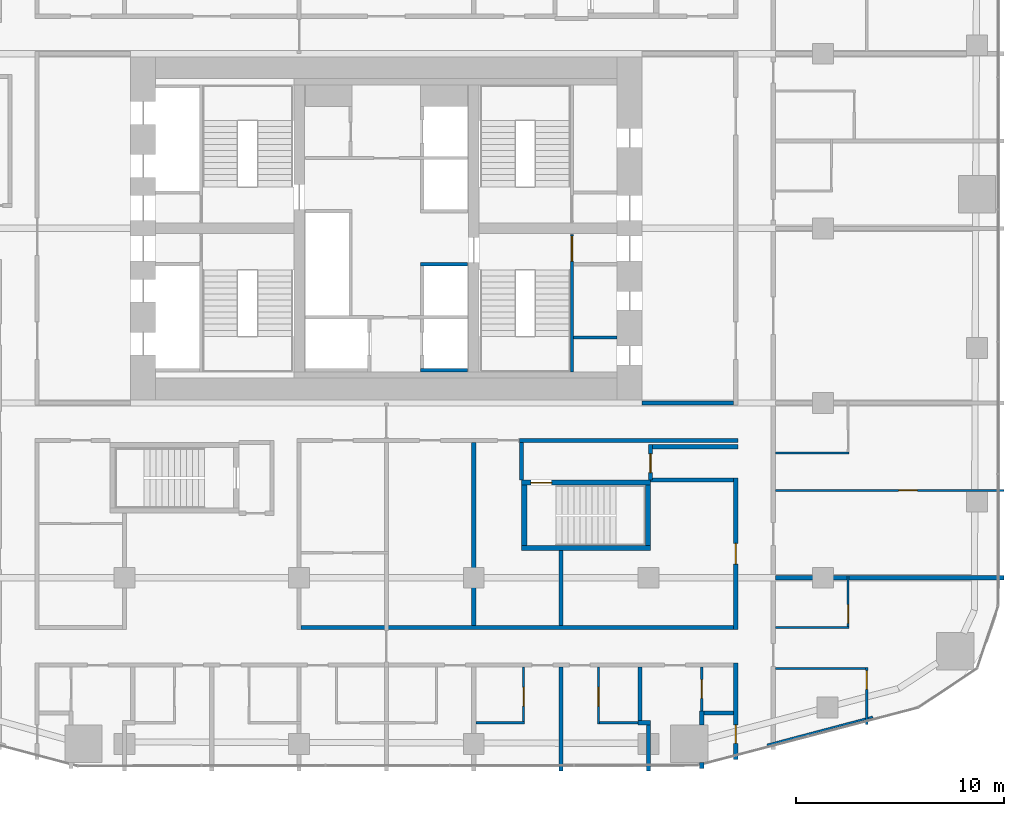
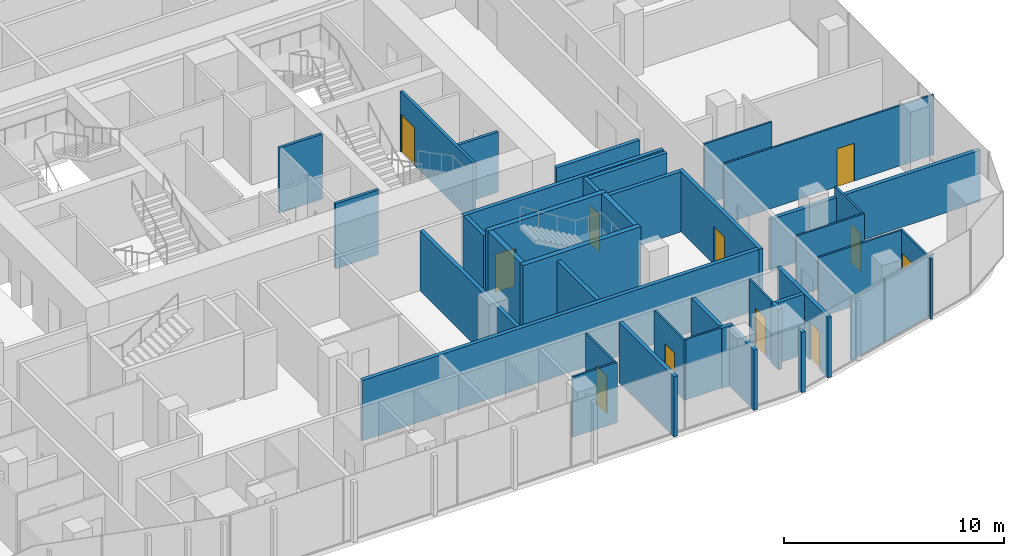
# One storey, part 19 of 26: 39 walls, 11 doors, 11 openings.
"""IFC4 building model written with IfcOpenShell, lengths in metres."""

from ifc_helpers import new_model, si_unit, direction, frame, frame_2d, origin, place, context, subcontext, project, spatial, rectangle, extrude, material, layer, layer_set, type_object, element, fill, save


model = new_model("IFC4")

# Units and contexts
model_context = context("Model", 3, precision=1e-05, world=origin(), true_north=direction((0.0, 1.0)))
body_context = subcontext(model_context, "Body", "Model", "MODEL_VIEW")
ifc_project = project(units=[si_unit("LENGTHUNIT", "METRE"), si_unit("AREAUNIT", "SQUARE_METRE"), si_unit("VOLUMEUNIT", "CUBIC_METRE"), si_unit("PLANEANGLEUNIT", "RADIAN"), si_unit("MASSUNIT", "GRAM", prefix="KILO")], contexts=[model_context])

# Site, building, storey
site_placement = place(None, origin())
site = spatial("IfcSite", under=ifc_project, at=site_placement, CompositionType="ELEMENT")
building_placement = place(site_placement, origin())
building = spatial("IfcBuilding", under=site, at=building_placement, Name="Marenta Gate Hotel Tower", CompositionType="ELEMENT")
storey_placement = place(building_placement, frame((0.0, 0.0, 43.699951171875)))
storey = spatial("IfcBuildingStorey", under=building, at=storey_placement, Name="L08", CompositionType="ELEMENT", Elevation=43.699951171875)

# Walls
ifc_material_1 = material(Name="Concrete blockwork", Category="masonry")
ifc_layer_1 = layer(ifc_material_1, 0.199951171875)
ifc_layer_set_1 = layer_set([ifc_layer_1], Name="Concrete blockwork")
wall_type_1 = type_object("IfcWallType", Name="Core boundary wall 200 REI 180", PredefinedType="PARTITIONING", material=ifc_layer_set_1)
wall_1_placement = place(storey_placement, frame((12.300048828125, 0.0, 0.0), z_axis=(0.0, 0.0, 1.0), x_axis=(1.0, 0.0, 0.0)))
element("IfcWall", 1, at=wall_1_placement, inside=storey, type_object=wall_type_1, Name="L08-CP-EW-ES", PredefinedType="PARTITIONING", context=body_context, shape_type="SweptSolid", body=[
    extrude(rectangle(XDim=4.39990234375, YDim=0.199951171875, at=frame_2d((2.199951171875, 0.0))), origin(), (0.0, 0.0, 1.0), 2.840087890625),
])
ifc_material_2 = material(Name="Concrete blockwork", Category="masonry")
ifc_layer_2 = layer(ifc_material_2, 0.14990234375)
ifc_layer_set_2 = layer_set([ifc_layer_2], Name="Concrete blockwork")
wall_type_2 = type_object("IfcWallType", Name="Core room partition 150 REI 180", PredefinedType="PARTITIONING", material=ifc_layer_set_2)
wall_2_placement = place(storey_placement, frame((9.0, 3.14990234375, 0.0), z_axis=(0.0, 0.0, 1.0), x_axis=(1.0, 0.0, 0.0)))
element("IfcWall", 2, at=wall_2_placement, inside=storey, type_object=wall_type_2, Name="L08-CP-RW-ES-1", PredefinedType="PARTITIONING", context=body_context, shape_type="SweptSolid", body=[
    extrude(rectangle(XDim=2.10009765625, YDim=0.14990234375, at=frame_2d((1.050048828125, 0.0))), origin(), (0.0, 0.0, 1.0), 3.340087890625),
])
ifc_material_3 = material(Name="Concrete C40", Category="concrete")
ifc_layer_3 = layer(ifc_material_3, 0.14990234375)
ifc_layer_set_3 = layer_set([ifc_layer_3], Name="Concrete C40")
wall_type_3 = type_object("IfcWallType", Name="Core shaft wall 150 REI 180", PredefinedType="SHEAR", material=ifc_layer_set_3)
for number, where, z_axis, x_axis, name in (
    (3, (1.64990234375, 1.574951171875, 0.0), (0.0, 0.0, 1.0), (1.0, 0.0, 0.0), "L08-SHF-CE-S-bot"),
    (4, (1.64990234375, 6.675048828125, 0.0), (0.0, 0.0, 1.0), (1.0, 0.0, 0.0), "L08-SHF-CE-sep1"),
):
    element("IfcWall", number, at=place(storey_placement, frame(where, z_axis=z_axis, x_axis=x_axis)), inside=storey, type_object=wall_type_3, Name=name, PredefinedType="SHEAR", context=body_context, shape_type="SweptSolid", body=[
        extrude(rectangle(XDim=2.25, YDim=0.14990234375, at=frame_2d((1.125, 0.0))), origin(), (0.0, 0.0, 1.0), 3.60009765625),
    ])

# Wall, opening, door
ifc_material_4 = material(Name="Concrete C40", Category="concrete")
ifc_layer_4 = layer(ifc_material_4, 0.14990234375)
ifc_layer_set_4 = layer_set([ifc_layer_4], Name="Concrete C40")
wall_type_4 = type_object("IfcWallType", Name="Core stair enclosure wall 150 REI 180", PredefinedType="SHEAR", material=ifc_layer_set_4)
wall_3_placement = place(storey_placement, frame((8.925048828125, 1.5, 0.0), z_axis=(0.0, 0.0, 1.0), x_axis=(0.0, 1.0, 0.0)))
wall_3 = element("IfcWall", 5, at=wall_3_placement, inside=storey, type_object=wall_type_4, Name="L08-SHF-SW-ES-3", PredefinedType="SHEAR", context=body_context, shape_type="SweptSolid", body=[
    extrude(rectangle(XDim=6.60009765625, YDim=0.14990234375, at=frame_2d((3.300048828125, 0.0))), origin(), (0.0, 0.0, 1.0), 3.340087890625),
])
opening_1_placement = place(wall_3_placement, frame((5.324951171875, 0.0, 0.0)))
opening_1 = element("IfcOpeningElement", 6, at=opening_1_placement, cuts=wall_3, Name="Opening SD-ES", PredefinedType="OPENING", context=body_context, shape_type="SweptSolid", body=[
    extrude(rectangle(XDim=1.199951171875, YDim=2.10009765625, at=frame_2d((0.60009765625, 1.050048828125))), frame((0.0, 0.074951171875, 0.0), z_axis=(0.0, -1.0, 0.0), x_axis=(1.0, 0.0, 0.0)), (0.0, 0.0, 1.0), 0.14990234375),
])
ifc_material_5 = material(Name="Steel", Category="steel")
door_type_1 = type_object("IfcDoorType", Name="Core stair door 1200x2100 FD60", OperationType="SINGLE_SWING_LEFT", PredefinedType="DOOR", material=ifc_material_5)
door_1_placement = place(opening_1_placement, origin())
door_1 = element("IfcDoor", 7, at=door_1_placement, inside=storey, type_object=door_type_1, Name="SD-ES", OperationType="SINGLE_SWING_LEFT", OverallHeight=2.10009765625, OverallWidth=1.199951171875, PredefinedType="DOOR", context=body_context, shape_type="SweptSolid", body=[
    extrude(rectangle(XDim=1.199951171875, YDim=2.10009765625, at=frame_2d((0.60009765625, 1.050048828125))), frame((0.0, 0.02490234375, 0.0), z_axis=(0.0, -1.0, 0.0), x_axis=(1.0, 0.0, 0.0)), (0.0, 0.0, 1.0), 0.050048828125),
])
fill(opening_1, door_1)

# Wall
ifc_material_6 = material(Name="Concrete C40", Category="concrete")
ifc_layer_5 = layer(ifc_material_6, 0.25)
ifc_layer_set_5 = layer_set([ifc_layer_5], Name="Concrete C40")
wall_type_5 = type_object("IfcWallType", Name="Remote stair enclosure wall 250 REI 180", PredefinedType="SHEAR", material=ifc_layer_set_5)
wall_4_placement = place(storey_placement, frame((6.5, -6.97509765625, 0.10009765625), z_axis=(0.0, 0.0, 1.0), x_axis=(1.0, 0.0, 0.0)))
element("IfcWall", 8, at=wall_4_placement, inside=storey, type_object=wall_type_5, Name="L08-RS-Z1-1-W1", PredefinedType="SHEAR", context=body_context, shape_type="SweptSolid", body=[
    extrude(rectangle(XDim=6.199951171875, YDim=0.25, at=frame_2d((3.10009765625, 0.0))), origin(), (0.0, 0.0, 1.0), 3.599853515625),
])

# Wall, opening, door
wall_5_placement = place(storey_placement, frame((6.5, -3.824951171875, 0.10009765625), z_axis=(0.0, 0.0, 1.0), x_axis=(1.0, 0.0, 0.0)))
wall_5 = element("IfcWall", 9, at=wall_5_placement, inside=storey, type_object=wall_type_5, Name="L08-RS-Z1-1-W2", PredefinedType="SHEAR", context=body_context, shape_type="SweptSolid", body=[
    extrude(rectangle(XDim=6.199951171875, YDim=0.25, at=frame_2d((3.10009765625, 0.0))), origin(), (0.0, 0.0, 1.0), 3.599853515625),
])
opening_2_placement = place(wall_5_placement, frame((0.449951171875, 0.0, 0.0)))
opening_2 = element("IfcOpeningElement", 10, at=opening_2_placement, cuts=wall_5, Name="Opening VD", PredefinedType="OPENING", context=body_context, shape_type="SweptSolid", body=[
    extrude(rectangle(XDim=1.0, YDim=2.10009765625, at=frame_2d((0.5, 1.050048828125))), frame((0.0, 0.125, 0.0), z_axis=(0.0, -1.0, 0.0), x_axis=(1.0, 0.0, 0.0)), (0.0, 0.0, 1.0), 0.25),
])
ifc_material_7 = material(Name="Steel", Category="steel")
door_type_2 = type_object("IfcDoorType", Name="Stair vestibule door 1000x2100 FD60", OperationType="SINGLE_SWING_LEFT", PredefinedType="DOOR", material=ifc_material_7)
door_2_placement = place(opening_2_placement, origin())
door_2 = element("IfcDoor", 11, at=door_2_placement, inside=storey, type_object=door_type_2, Name="VD", OperationType="SINGLE_SWING_LEFT", OverallHeight=2.10009765625, OverallWidth=1.0, PredefinedType="DOOR", context=body_context, shape_type="SweptSolid", body=[
    extrude(rectangle(XDim=1.0, YDim=2.10009765625, at=frame_2d((0.5, 1.050048828125))), frame((0.0, 0.02490234375, 0.0), z_axis=(0.0, -1.0, 0.0), x_axis=(1.0, 0.0, 0.0)), (0.0, 0.0, 1.0), 0.050048828125),
])
fill(opening_2, door_2)

# Walls
for number, where, z_axis, x_axis, name in (
    (12, (6.625, -6.85009765625, 0.10009765625), (0.0, 0.0, 1.0), (0.0, 1.0, 0.0), "L08-RS-Z1-1-W3"),
    (13, (12.574951171875, -6.85009765625, 0.10009765625), (0.0, 0.0, 1.0), (0.0, 1.0, 0.0), "L08-RS-Z1-1-W4"),
):
    element("IfcWall", number, at=place(storey_placement, frame(where, z_axis=z_axis, x_axis=x_axis)), inside=storey, type_object=wall_type_5, Name=name, PredefinedType="SHEAR", context=body_context, shape_type="SweptSolid", body=[
        extrude(rectangle(XDim=2.900146484375, YDim=0.25, at=frame_2d((1.4501953125, 0.0))), origin(), (0.0, 0.0, 1.0), 3.599853515625),
    ])

# Wall, opening, door
ifc_material_8 = material(Name="Concrete blockwork", Category="masonry")
ifc_layer_6 = layer(ifc_material_8, 0.199951171875)
ifc_layer_set_6 = layer_set([ifc_layer_6], Name="Concrete blockwork")
wall_type_6 = type_object("IfcWallType", Name="Room corridor wall 200 EI 120", PredefinedType="PARTITIONING", material=ifc_layer_set_6)
wall_6_placement = place(storey_placement, frame((16.800048828125, -17.14306640625, 0.0), z_axis=(0.0, 0.0, 1.0), x_axis=(0.0, 1.0, 0.0)))
wall_6 = element("IfcWall", 14, at=wall_6_placement, inside=storey, type_object=wall_type_6, Name="L08-PTN-W013", PredefinedType="PARTITIONING", context=body_context, shape_type="SweptSolid", body=[
    extrude(rectangle(XDim=4.64306640625, YDim=0.199951171875, at=frame_2d((2.321533203125, 0.0))), origin(), (0.0, 0.0, 1.0), 3.340087890625),
])
opening_3_placement = place(wall_6_placement, frame((0.77197265625, 0.0, 0.0)))
opening_3 = element("IfcOpeningElement", 15, at=opening_3_placement, cuts=wall_6, Name="Opening G02-81", PredefinedType="OPENING", context=body_context, shape_type="SweptSolid", body=[
    extrude(rectangle(XDim=0.89990234375, YDim=2.10009765625, at=frame_2d((0.449951171875, 1.050048828125))), frame((0.0, 0.10009765625, 0.0), z_axis=(0.0, -1.0, 0.0), x_axis=(1.0, 0.0, 0.0)), (0.0, 0.0, 1.0), 0.199951171875),
])
ifc_material_9 = material(Name="Hollow steel door set", Category="steel")
door_type_3 = type_object("IfcDoorType", Name="Room service door 900x2100 EI 60", OperationType="NOTDEFINED", PredefinedType="DOOR", material=ifc_material_9)
door_3_placement = place(opening_3_placement, origin())
door_3 = element("IfcDoor", 16, at=door_3_placement, inside=storey, type_object=door_type_3, Name="L08-PD-D081", OperationType="SINGLE_SWING_RIGHT", OverallHeight=2.10009765625, OverallWidth=0.89990234375, PredefinedType="DOOR", context=body_context, shape_type="SweptSolid", body=[
    extrude(rectangle(XDim=0.89990234375, YDim=2.10009765625, at=frame_2d((0.449951171875, 1.050048828125))), frame((0.0, 0.02490234375, 0.0), z_axis=(0.0, -1.0, 0.0), x_axis=(1.0, 0.0, 0.0)), (0.0, 0.0, 1.0), 0.050048828125),
])
fill(opening_3, door_3)

# Wall
wall_7_placement = place(storey_placement, frame((-4.10009765625, -10.800048828125, 0.0), z_axis=(0.0, 0.0, 1.0), x_axis=(1.0, 0.0, 0.0)))
element("IfcWall", 17, at=wall_7_placement, inside=storey, type_object=wall_type_6, Name="L08-PTN-W039", PredefinedType="PARTITIONING", context=body_context, shape_type="SweptSolid", body=[
    extrude(rectangle(XDim=20.800048828125, YDim=0.199951171875, at=frame_2d((10.39990234375, 0.0))), origin(), (0.0, 0.0, 1.0), 3.340087890625),
])

# Wall, opening, door
ifc_material_10 = material(Name="Gypsum board on steel stud", Category="steel")
ifc_layer_7 = layer(ifc_material_10, 0.199951171875)
ifc_layer_set_7 = layer_set([ifc_layer_7], Name="Gypsum board on steel stud")
wall_type_7 = type_object("IfcWallType", Name="Room corridor wall 200 EI 60", PredefinedType="PARTITIONING", material=ifc_layer_set_7)
wall_8_placement = place(storey_placement, frame((16.800048828125, -10.89990234375, 0.0), z_axis=(0.0, 0.0, 1.0), x_axis=(0.0, 1.0, 0.0)))
wall_8 = element("IfcWall", 18, at=wall_8_placement, inside=storey, type_object=wall_type_7, Name="L08-PTN-W014", PredefinedType="PARTITIONING", context=body_context, shape_type="SweptSolid", body=[
    extrude(rectangle(XDim=7.2998046875, YDim=0.199951171875, at=frame_2d((3.64990234375, 0.0))), origin(), (0.0, 0.0, 1.0), 3.340087890625),
])
opening_4_placement = place(wall_8_placement, frame((3.14990234375, 0.0, 0.0)))
opening_4 = element("IfcOpeningElement", 19, at=opening_4_placement, cuts=wall_8, Name="Opening G02-72", PredefinedType="OPENING", context=body_context, shape_type="SweptSolid", body=[
    extrude(rectangle(XDim=1.0, YDim=2.10009765625, at=frame_2d((0.5, 1.050048828125))), frame((0.0, 0.10009765625, 0.0), z_axis=(0.0, -1.0, 0.0), x_axis=(1.0, 0.0, 0.0)), (0.0, 0.0, 1.0), 0.199951171875),
])
ifc_material_11 = material(Name="Timber door leaf", Category="wood")
door_type_4 = type_object("IfcDoorType", Name="Room amenity door 1000x2100 EI 30", OperationType="NOTDEFINED", PredefinedType="DOOR", material=ifc_material_11)
door_4_placement = place(opening_4_placement, origin())
door_4 = element("IfcDoor", 20, at=door_4_placement, inside=storey, type_object=door_type_4, Name="L08-PD-D072", OperationType="SINGLE_SWING_RIGHT", OverallHeight=2.10009765625, OverallWidth=1.0, PredefinedType="DOOR", context=body_context, shape_type="SweptSolid", body=[
    extrude(rectangle(XDim=1.0, YDim=2.10009765625, at=frame_2d((0.5, 1.050048828125))), frame((0.0, 0.02490234375, 0.0), z_axis=(0.0, -1.0, 0.0), x_axis=(1.0, 0.0, 0.0)), (0.0, 0.0, 1.0), 0.050048828125),
])
fill(opening_4, door_4)

# Wall
wall_9_placement = place(storey_placement, frame((12.699951171875, -3.699951171875, 0.0), z_axis=(0.0, 0.0, 1.0), x_axis=(1.0, 0.0, 0.0)))
element("IfcWall", 21, at=wall_9_placement, inside=storey, type_object=wall_type_7, Name="L08-PTN-W060", PredefinedType="PARTITIONING", context=body_context, shape_type="SweptSolid", body=[
    extrude(rectangle(XDim=4.0, YDim=0.199951171875, at=frame_2d((2.0, 0.0))), origin(), (0.0, 0.0, 1.0), 3.340087890625),
])

# Wall, opening, door
ifc_material_12 = material(Name="Concrete blockwork", Category="masonry")
ifc_layer_8 = layer(ifc_material_12, 0.199951171875)
ifc_layer_set_8 = layer_set([ifc_layer_8], Name="Concrete blockwork")
wall_type_8 = type_object("IfcWallType", Name="Room corridor wall 200 REI 180", PredefinedType="PARTITIONING", material=ifc_layer_set_8)
wall_10_placement = place(storey_placement, frame((12.699951171875, -3.699951171875, 0.0), z_axis=(0.0, 0.0, 1.0), x_axis=(0.0, 1.0, 0.0)))
wall_10 = element("IfcWall", 22, at=wall_10_placement, inside=storey, type_object=wall_type_8, Name="L08-PTN-W031", PredefinedType="PARTITIONING", context=body_context, shape_type="SweptSolid", body=[
    extrude(rectangle(XDim=1.699951171875, YDim=0.199951171875, at=frame_2d((0.85009765625, 0.0))), origin(), (0.0, 0.0, 1.0), 3.340087890625),
])
opening_5_placement = place(wall_10_placement, frame((0.35009765625, 0.0, 0.0)))
opening_5 = element("IfcOpeningElement", 23, at=opening_5_placement, cuts=wall_10, Name="Opening G02-68", PredefinedType="OPENING", context=body_context, shape_type="SweptSolid", body=[
    extrude(rectangle(XDim=0.89990234375, YDim=2.10009765625, at=frame_2d((0.449951171875, 1.050048828125))), frame((0.0, 0.10009765625, 0.0), z_axis=(0.0, -1.0, 0.0), x_axis=(1.0, 0.0, 0.0)), (0.0, 0.0, 1.0), 0.199951171875),
])
ifc_material_13 = material(Name="Hollow steel door set", Category="steel")
door_type_5 = type_object("IfcDoorType", Name="Stair vestibule door 900x2100 EI 60", OperationType="NOTDEFINED", PredefinedType="DOOR", material=ifc_material_13)
door_5_placement = place(opening_5_placement, origin())
door_5 = element("IfcDoor", 24, at=door_5_placement, inside=storey, type_object=door_type_5, Name="L08-PD-D068", OperationType="SINGLE_SWING_LEFT", OverallHeight=2.10009765625, OverallWidth=0.89990234375, PredefinedType="DOOR", context=body_context, shape_type="SweptSolid", body=[
    extrude(rectangle(XDim=0.89990234375, YDim=2.10009765625, at=frame_2d((0.449951171875, 1.050048828125))), frame((0.0, 0.02490234375, 0.0), z_axis=(0.0, -1.0, 0.0), x_axis=(1.0, 0.0, 0.0)), (0.0, 0.0, 1.0), 0.050048828125),
])
fill(opening_5, door_5)

# Walls
wall_11_placement = place(storey_placement, frame((12.800048828125, -2.10009765625, 0.0), z_axis=(0.0, 0.0, 1.0), x_axis=(1.0, 0.0, 0.0)))
element("IfcWall", 25, at=wall_11_placement, inside=storey, type_object=wall_type_8, Name="L08-PTN-W063", PredefinedType="PARTITIONING", context=body_context, shape_type="SweptSolid", body=[
    extrude(rectangle(XDim=4.099853515625, YDim=0.199951171875, at=frame_2d((2.0498046875, 0.0))), origin(), (0.0, 0.0, 1.0), 3.340087890625),
])
wall_12_placement = place(storey_placement, frame((6.39990234375, -1.800048828125, 0.0), z_axis=(0.0, 0.0, 1.0), x_axis=(1.0, 0.0, 0.0)))
element("IfcWall", 26, at=wall_12_placement, inside=storey, type_object=wall_type_8, Name="L08-PTN-W068", PredefinedType="PARTITIONING", context=body_context, shape_type="SweptSolid", body=[
    extrude(rectangle(XDim=10.5, YDim=0.199951171875, at=frame_2d((5.25, 0.0))), origin(), (0.0, 0.0, 1.0), 3.340087890625),
])

# Wall, opening, door
ifc_material_14 = material(Name="Gypsum board on steel stud", Category="steel")
ifc_layer_9 = layer(ifc_material_14, 0.10009765625)
ifc_layer_set_9 = layer_set([ifc_layer_9], Name="Gypsum board on steel stud")
wall_type_9 = type_object("IfcWallType", Name="Room partition 100", PredefinedType="PARTITIONING", material=ifc_layer_set_9)
wall_13_placement = place(storey_placement, frame((23.10009765625, -15.470947265625, 0.0), z_axis=(0.0, 0.0, 1.0), x_axis=(0.0, 1.0, 0.0)))
wall_13 = element("IfcWall", 27, at=wall_13_placement, inside=storey, type_object=wall_type_9, Name="L08-PTN-W001", PredefinedType="PARTITIONING", context=body_context, shape_type="SweptSolid", body=[
    extrude(rectangle(XDim=2.755859375, YDim=0.10009765625, at=frame_2d((1.3779296875, 0.0))), origin(), (0.0, 0.0, 1.0), 3.340087890625),
])
opening_6_placement = place(wall_13_placement, frame((1.7060546875, 0.0, 0.0)))
opening_6 = element("IfcOpeningElement", 28, at=opening_6_placement, cuts=wall_13, Name="Opening G02-13", PredefinedType="OPENING", context=body_context, shape_type="SweptSolid", body=[
    extrude(rectangle(XDim=0.89990234375, YDim=2.10009765625, at=frame_2d((0.449951171875, 1.050048828125))), frame((0.0, 0.050048828125, 0.0), z_axis=(0.0, -1.0, 0.0), x_axis=(1.0, 0.0, 0.0)), (0.0, 0.0, 1.0), 0.10009765625),
])
ifc_material_15 = material(Name="Timber door leaf", Category="wood")
door_type_6 = type_object("IfcDoorType", Name="Guest bathroom door 900x2100", OperationType="NOTDEFINED", PredefinedType="DOOR", material=ifc_material_15)
door_6_placement = place(opening_6_placement, origin())
door_6 = element("IfcDoor", 29, at=door_6_placement, inside=storey, type_object=door_type_6, Name="L08-PD-D013", OperationType="SINGLE_SWING_RIGHT", OverallHeight=2.10009765625, OverallWidth=0.89990234375, PredefinedType="DOOR", context=body_context, shape_type="SweptSolid", body=[
    extrude(rectangle(XDim=0.89990234375, YDim=2.10009765625, at=frame_2d((0.449951171875, 1.050048828125))), frame((0.0, 0.02490234375, 0.0), z_axis=(0.0, -1.0, 0.0), x_axis=(1.0, 0.0, 0.0)), (0.0, 0.0, 1.0), 0.050048828125),
])
fill(opening_6, door_6)

wall_14_placement = place(storey_placement, frame((22.199951171875, -10.75, 0.0), z_axis=(0.0, 0.0, 1.0), x_axis=(0.0, 1.0, 0.0)))
wall_14 = element("IfcWall", 30, at=wall_14_placement, inside=storey, type_object=wall_type_9, Name="L08-PTN-W004", PredefinedType="PARTITIONING", context=body_context, shape_type="SweptSolid", body=[
    extrude(rectangle(XDim=2.449951171875, YDim=0.10009765625, at=frame_2d((1.22509765625, 0.0))), origin(), (0.0, 0.0, 1.0), 3.340087890625),
])
opening_7_placement = place(wall_14_placement, frame((0.14990234375, 0.0, 0.0)))
opening_7 = element("IfcOpeningElement", 31, at=opening_7_placement, cuts=wall_14, Name="Opening G02-14", PredefinedType="OPENING", context=body_context, shape_type="SweptSolid", body=[
    extrude(rectangle(XDim=0.89990234375, YDim=2.10009765625, at=frame_2d((0.449951171875, 1.050048828125))), frame((0.0, 0.050048828125, 0.0), z_axis=(0.0, -1.0, 0.0), x_axis=(1.0, 0.0, 0.0)), (0.0, 0.0, 1.0), 0.10009765625),
])
ifc_material_16 = material(Name="Timber door leaf", Category="wood")
door_type_7 = type_object("IfcDoorType", Name="Room inner door 900x2100", OperationType="NOTDEFINED", PredefinedType="DOOR", material=ifc_material_16)
door_7_placement = place(opening_7_placement, origin())
door_7 = element("IfcDoor", 32, at=door_7_placement, inside=storey, type_object=door_type_7, Name="L08-PD-D014", OperationType="SINGLE_SWING_LEFT", OverallHeight=2.10009765625, OverallWidth=0.89990234375, PredefinedType="DOOR", context=body_context, shape_type="SweptSolid", body=[
    extrude(rectangle(XDim=0.89990234375, YDim=2.10009765625, at=frame_2d((0.449951171875, 1.050048828125))), frame((0.0, 0.02490234375, 0.0), z_axis=(0.0, -1.0, 0.0), x_axis=(1.0, 0.0, 0.0)), (0.0, 0.0, 1.0), 0.050048828125),
])
fill(opening_7, door_7)

# Walls
wall_15_placement = place(storey_placement, frame((18.31005859375, -16.44189453125, 0.0), z_axis=(0.0, 0.0, 1.0), x_axis=(0.966552628131, 0.256468354876, 0.0)))
element("IfcWall", 33, at=wall_15_placement, inside=storey, type_object=wall_type_9, Name="L08-PTN-W011", PredefinedType="PARTITIONING", context=body_context, shape_type="SweptSolid", body=[
    extrude(rectangle(XDim=5.255615234375, YDim=0.10009765625, at=frame_2d((2.6279296875, 0.0))), origin(), (0.0, 0.0, 1.0), 3.340087890625),
])
wall_16_placement = place(storey_placement, frame((4.300048828125, -15.375, 0.0), z_axis=(0.0, 0.0, 1.0), x_axis=(1.0, 0.0, 0.0)))
element("IfcWall", 34, at=wall_16_placement, inside=storey, type_object=wall_type_9, Name="L08-PTN-W022", PredefinedType="PARTITIONING", context=body_context, shape_type="SweptSolid", body=[
    extrude(rectangle(XDim=2.349853515625, YDim=0.10009765625, at=frame_2d((1.1748046875, 0.0))), origin(), (0.0, 0.0, 1.0), 3.340087890625),
])
wall_17_placement = place(storey_placement, frame((10.25, -15.375, 0.0), z_axis=(0.0, 0.0, 1.0), x_axis=(1.0, 0.0, 0.0)))
element("IfcWall", 35, at=wall_17_placement, inside=storey, type_object=wall_type_9, Name="L08-PTN-W023", PredefinedType="PARTITIONING", context=body_context, shape_type="SweptSolid", body=[
    extrude(rectangle(XDim=2.050048828125, YDim=0.10009765625, at=frame_2d((1.02490234375, 0.0))), origin(), (0.0, 0.0, 1.0), 3.340087890625),
])

# Wall, opening, door
wall_18_placement = place(storey_placement, frame((15.166015625, -15.0, 0.0), z_axis=(0.0, 0.0, 1.0), x_axis=(0.0, 1.0, 0.0)))
wall_18 = element("IfcWall", 36, at=wall_18_placement, inside=storey, type_object=wall_type_9, Name="L08-PTN-W025", PredefinedType="PARTITIONING", context=body_context, shape_type="SweptSolid", body=[
    extrude(rectangle(XDim=2.300048828125, YDim=0.10009765625, at=frame_2d((1.14990234375, 0.0))), origin(), (0.0, 0.0, 1.0), 3.340087890625),
])
opening_8_placement = place(wall_18_placement, frame((0.800048828125, 0.0, 0.0)))
opening_8 = element("IfcOpeningElement", 37, at=opening_8_placement, cuts=wall_18, Name="Opening G02-80", PredefinedType="OPENING", context=body_context, shape_type="SweptSolid", body=[
    extrude(rectangle(XDim=0.89990234375, YDim=2.10009765625, at=frame_2d((0.449951171875, 1.050048828125))), frame((0.0, 0.050048828125, 0.0), z_axis=(0.0, -1.0, 0.0), x_axis=(1.0, 0.0, 0.0)), (0.0, 0.0, 1.0), 0.10009765625),
])
door_8_placement = place(opening_8_placement, origin())
door_8 = element("IfcDoor", 38, at=door_8_placement, inside=storey, type_object=door_type_6, Name="L08-PD-D080", OperationType="SINGLE_SWING_RIGHT", OverallHeight=2.10009765625, OverallWidth=0.89990234375, PredefinedType="DOOR", context=body_context, shape_type="SweptSolid", body=[
    extrude(rectangle(XDim=0.89990234375, YDim=2.10009765625, at=frame_2d((0.449951171875, 1.050048828125))), frame((0.0, 0.02490234375, 0.0), z_axis=(0.0, -1.0, 0.0), x_axis=(1.0, 0.0, 0.0)), (0.0, 0.0, 1.0), 0.050048828125),
])
fill(opening_8, door_8)

# Walls
wall_19_placement = place(storey_placement, frame((18.699951171875, -12.764892578125, 0.0), z_axis=(0.0, 0.0, 1.0), x_axis=(1.0, 0.0, 0.0)))
element("IfcWall", 39, at=wall_19_placement, inside=storey, type_object=wall_type_9, Name="L08-PTN-W030", PredefinedType="PARTITIONING", context=body_context, shape_type="SweptSolid", body=[
    extrude(rectangle(XDim=4.35009765625, YDim=0.10009765625, at=frame_2d((2.175048828125, 0.0))), origin(), (0.0, 0.0, 1.0), 3.340087890625),
])
wall_20_placement = place(storey_placement, frame((18.699951171875, -10.800048828125, 0.0), z_axis=(0.0, 0.0, 1.0), x_axis=(1.0, 0.0, 0.0)))
element("IfcWall", 40, at=wall_20_placement, inside=storey, type_object=wall_type_9, Name="L08-PTN-W037", PredefinedType="PARTITIONING", context=body_context, shape_type="SweptSolid", body=[
    extrude(rectangle(XDim=3.550048828125, YDim=0.10009765625, at=frame_2d((1.77490234375, 0.0))), origin(), (0.0, 0.0, 1.0), 3.340087890625),
])

# Wall, opening, door
wall_21_placement = place(storey_placement, frame((10.199951171875, -15.425048828125, 0.0), z_axis=(0.0, 0.0, 1.0), x_axis=(0.0, 1.0, 0.0)))
wall_21 = element("IfcWall", 41, at=wall_21_placement, inside=storey, type_object=wall_type_9, Name="L08-PTN-W040", PredefinedType="PARTITIONING", context=body_context, shape_type="SweptSolid", body=[
    extrude(rectangle(XDim=2.72509765625, YDim=0.10009765625, at=frame_2d((1.362548828125, 0.0))), origin(), (0.0, 0.0, 1.0), 3.340087890625),
])
opening_9_placement = place(wall_21_placement, frame((0.84912109375, 0.0, 0.0)))
opening_9 = element("IfcOpeningElement", 42, at=opening_9_placement, cuts=wall_21, Name="Opening G02-51", PredefinedType="OPENING", context=body_context, shape_type="SweptSolid", body=[
    extrude(rectangle(XDim=0.89990234375, YDim=2.10009765625, at=frame_2d((0.449951171875, 1.050048828125))), frame((0.0, 0.050048828125, 0.0), z_axis=(0.0, -1.0, 0.0), x_axis=(1.0, 0.0, 0.0)), (0.0, 0.0, 1.0), 0.10009765625),
])
door_9_placement = place(opening_9_placement, origin())
door_9 = element("IfcDoor", 43, at=door_9_placement, inside=storey, type_object=door_type_6, Name="L08-PD-D051", OperationType="SINGLE_SWING_RIGHT", OverallHeight=2.10009765625, OverallWidth=0.89990234375, PredefinedType="DOOR", context=body_context, shape_type="SweptSolid", body=[
    extrude(rectangle(XDim=0.89990234375, YDim=2.10009765625, at=frame_2d((0.449951171875, 1.050048828125))), frame((0.0, 0.02490234375, 0.0), z_axis=(0.0, -1.0, 0.0), x_axis=(1.0, 0.0, 0.0)), (0.0, 0.0, 1.0), 0.050048828125),
])
fill(opening_9, door_9)

wall_22_placement = place(storey_placement, frame((6.60009765625, -15.324951171875, 0.0), z_axis=(0.0, 0.0, 1.0), x_axis=(0.0, 1.0, 0.0)))
wall_22 = element("IfcWall", 44, at=wall_22_placement, inside=storey, type_object=wall_type_9, Name="L08-PTN-W048", PredefinedType="PARTITIONING", context=body_context, shape_type="SweptSolid", body=[
    extrude(rectangle(XDim=2.625, YDim=0.10009765625, at=frame_2d((1.3125, 0.0))), origin(), (0.0, 0.0, 1.0), 3.340087890625),
])
opening_10_placement = place(wall_22_placement, frame((0.7490234375, 0.0, 0.0)))
opening_10 = element("IfcOpeningElement", 45, at=opening_10_placement, cuts=wall_22, Name="Opening G02-49", PredefinedType="OPENING", context=body_context, shape_type="SweptSolid", body=[
    extrude(rectangle(XDim=0.89990234375, YDim=2.10009765625, at=frame_2d((0.449951171875, 1.050048828125))), frame((0.0, 0.050048828125, 0.0), z_axis=(0.0, -1.0, 0.0), x_axis=(1.0, 0.0, 0.0)), (0.0, 0.0, 1.0), 0.10009765625),
])
door_10_placement = place(opening_10_placement, origin())
door_10 = element("IfcDoor", 46, at=door_10_placement, inside=storey, type_object=door_type_6, Name="L08-PD-D049", OperationType="SINGLE_SWING_LEFT", OverallHeight=2.10009765625, OverallWidth=0.89990234375, PredefinedType="DOOR", context=body_context, shape_type="SweptSolid", body=[
    extrude(rectangle(XDim=0.89990234375, YDim=2.10009765625, at=frame_2d((0.449951171875, 1.050048828125))), frame((0.0, 0.02490234375, 0.0), z_axis=(0.0, -1.0, 0.0), x_axis=(1.0, 0.0, 0.0)), (0.0, 0.0, 1.0), 0.050048828125),
])
fill(opening_10, door_10)

wall_23_placement = place(storey_placement, frame((18.699951171875, -4.199951171875, 0.0), z_axis=(0.0, 0.0, 1.0), x_axis=(1.0, 0.0, 0.0)))
wall_23 = element("IfcWall", 47, at=wall_23_placement, inside=storey, type_object=wall_type_9, Name="L08-PTN-W059", PredefinedType="PARTITIONING", context=body_context, shape_type="SweptSolid", body=[
    extrude(rectangle(XDim=11.0, YDim=0.10009765625, at=frame_2d((5.5, 0.0))), origin(), (0.0, 0.0, 1.0), 3.340087890625),
])
opening_11_placement = place(wall_23_placement, frame((5.929931640625, 0.0, 0.0)))
opening_11 = element("IfcOpeningElement", 48, at=opening_11_placement, cuts=wall_23, Name="Opening G02-16", PredefinedType="OPENING", context=body_context, shape_type="SweptSolid", body=[
    extrude(rectangle(XDim=0.89990234375, YDim=2.10009765625, at=frame_2d((0.449951171875, 1.050048828125))), frame((0.0, 0.050048828125, 0.0), z_axis=(0.0, -1.0, 0.0), x_axis=(1.0, 0.0, 0.0)), (0.0, 0.0, 1.0), 0.10009765625),
])
door_11_placement = place(opening_11_placement, origin())
door_11 = element("IfcDoor", 49, at=door_11_placement, inside=storey, type_object=door_type_7, Name="L08-PD-D016", OperationType="SINGLE_SWING_RIGHT", OverallHeight=2.10009765625, OverallWidth=0.89990234375, PredefinedType="DOOR", context=body_context, shape_type="SweptSolid", body=[
    extrude(rectangle(XDim=0.89990234375, YDim=2.10009765625, at=frame_2d((0.449951171875, 1.050048828125))), frame((0.0, 0.02490234375, 0.0), z_axis=(0.0, -1.0, 0.0), x_axis=(1.0, 0.0, 0.0)), (0.0, 0.0, 1.0), 0.050048828125),
])
fill(opening_11, door_11)

# Walls
wall_24_placement = place(storey_placement, frame((18.699951171875, -2.39990234375, 0.0), z_axis=(0.0, 0.0, 1.0), x_axis=(1.0, 0.0, 0.0)))
element("IfcWall", 50, at=wall_24_placement, inside=storey, type_object=wall_type_9, Name="L08-PTN-W062", PredefinedType="PARTITIONING", context=body_context, shape_type="SweptSolid", body=[
    extrude(rectangle(XDim=3.550048828125, YDim=0.10009765625, at=frame_2d((1.77490234375, 0.0))), origin(), (0.0, 0.0, 1.0), 3.340087890625),
])
ifc_material_17 = material(Name="Concrete blockwork", Category="masonry")
ifc_layer_10 = layer(ifc_material_17, 0.199951171875)
ifc_layer_set_10 = layer_set([ifc_layer_10], Name="Concrete blockwork")
wall_type_10 = type_object("IfcWallType", Name="Room party wall 200 EI 120", PredefinedType="PARTITIONING", material=ifc_layer_set_10)
wall_25_placement = place(storey_placement, frame((15.166015625, -17.572998046875, 0.0), z_axis=(0.0, 0.0, 1.0), x_axis=(0.0, 1.0, 0.0)))
element("IfcWall", 51, at=wall_25_placement, inside=storey, type_object=wall_type_10, Name="L08-PTN-W024", PredefinedType="PARTITIONING", context=body_context, shape_type="SweptSolid", body=[
    extrude(rectangle(XDim=0.298095703125, YDim=0.199951171875, at=frame_2d((0.14892578125, 0.0))), origin(), (0.0, 0.0, 1.0), 3.340087890625),
])
wall_26_placement = place(storey_placement, frame((15.166015625, -15.47509765625, 0.0), z_axis=(0.0, 0.0, 1.0), x_axis=(0.0, 1.0, 0.0)))
element("IfcWall", 52, at=wall_26_placement, inside=storey, type_object=wall_type_10, Name="L08-PTN-W156", PredefinedType="PARTITIONING", context=body_context, shape_type="SweptSolid", body=[
    extrude(rectangle(XDim=0.675048828125, YDim=0.199951171875, at=frame_2d((0.33740234375, 0.0))), origin(), (0.0, 0.0, 1.0), 3.340087890625),
])
wall_27_placement = place(storey_placement, frame((15.216064453125, -14.89990234375, 0.0), z_axis=(0.0, 0.0, 1.0), x_axis=(1.0, 0.0, 0.0)))
element("IfcWall", 53, at=wall_27_placement, inside=storey, type_object=wall_type_10, Name="L08-PTN-W027", PredefinedType="PARTITIONING", context=body_context, shape_type="SweptSolid", body=[
    extrude(rectangle(XDim=1.48388671875, YDim=0.199951171875, at=frame_2d((0.741943359375, 0.0))), origin(), (0.0, 0.0, 1.0), 3.340087890625),
])
ifc_material_18 = material(Name="Gypsum board on steel stud", Category="steel")
ifc_layer_11 = layer(ifc_material_18, 0.199951171875)
ifc_layer_set_11 = layer_set([ifc_layer_11], Name="Gypsum board on steel stud")
wall_type_11 = type_object("IfcWallType", Name="Room party wall 200 EI 60", PredefinedType="PARTITIONING", material=ifc_layer_set_11)
wall_28_placement = place(storey_placement, frame((12.10009765625, -15.375, 0.0), z_axis=(0.0, 0.0, 1.0), x_axis=(1.0, 0.0, 0.0)))
element("IfcWall", 54, at=wall_28_placement, inside=storey, type_object=wall_type_11, Name="L08-PTN-W018", PredefinedType="PARTITIONING", context=body_context, shape_type="SweptSolid", body=[
    extrude(rectangle(XDim=0.599853515625, YDim=0.199951171875, at=frame_2d((0.2998046875, 0.0))), origin(), (0.0, 0.0, 1.0), 3.340087890625),
])
wall_29_placement = place(storey_placement, frame((12.60009765625, -17.699951171875, 0.0), z_axis=(0.0, 0.0, 1.0), x_axis=(0.0, 1.0, 0.0)))
element("IfcWall", 55, at=wall_29_placement, inside=storey, type_object=wall_type_11, Name="L08-PTN-W032", PredefinedType="PARTITIONING", context=body_context, shape_type="SweptSolid", body=[
    extrude(rectangle(XDim=2.224853515625, YDim=0.199951171875, at=frame_2d((1.1123046875, 0.0))), origin(), (0.0, 0.0, 1.0), 3.340087890625),
])
wall_30_placement = place(storey_placement, frame((12.199951171875, -15.324951171875, 0.0), z_axis=(0.0, 0.0, 1.0), x_axis=(0.0, 1.0, 0.0)))
element("IfcWall", 56, at=wall_30_placement, inside=storey, type_object=wall_type_11, Name="L08-PTN-W035", PredefinedType="PARTITIONING", context=body_context, shape_type="SweptSolid", body=[
    extrude(rectangle(XDim=2.625, YDim=0.199951171875, at=frame_2d((1.3125, 0.0))), origin(), (0.0, 0.0, 1.0), 3.340087890625),
])
wall_31_placement = place(storey_placement, frame((8.39990234375, -17.699951171875, 0.0), z_axis=(0.0, 0.0, 1.0), x_axis=(0.0, 1.0, 0.0)))
element("IfcWall", 57, at=wall_31_placement, inside=storey, type_object=wall_type_11, Name="L08-PTN-W041", PredefinedType="PARTITIONING", context=body_context, shape_type="SweptSolid", body=[
    extrude(rectangle(XDim=5.0, YDim=0.199951171875, at=frame_2d((2.5, 0.0))), origin(), (0.0, 0.0, 1.0), 3.340087890625),
])
wall_32_placement = place(storey_placement, frame((8.39990234375, -10.699951171875, 0.0), z_axis=(0.0, 0.0, 1.0), x_axis=(0.0, 1.0, 0.0)))
element("IfcWall", 58, at=wall_32_placement, inside=storey, type_object=wall_type_11, Name="L08-PTN-W042", PredefinedType="PARTITIONING", context=body_context, shape_type="SweptSolid", body=[
    extrude(rectangle(XDim=3.599853515625, YDim=0.199951171875, at=frame_2d((1.7998046875, 0.0))), origin(), (0.0, 0.0, 1.0), 3.340087890625),
])
wall_33_placement = place(storey_placement, frame((18.699951171875, -8.39990234375, 0.0), z_axis=(0.0, 0.0, 1.0), x_axis=(1.0, 0.0, 0.0)))
element("IfcWall", 59, at=wall_33_placement, inside=storey, type_object=wall_type_11, Name="L08-PTN-W044", PredefinedType="PARTITIONING", context=body_context, shape_type="SweptSolid", body=[
    extrude(rectangle(XDim=11.0, YDim=0.199951171875, at=frame_2d((5.5, 0.0))), origin(), (0.0, 0.0, 1.0), 2.840087890625),
])
wall_34_placement = place(storey_placement, frame((4.199951171875, -10.699951171875, 0.0), z_axis=(0.0, 0.0, 1.0), x_axis=(0.0, 1.0, 0.0)))
element("IfcWall", 60, at=wall_34_placement, inside=storey, type_object=wall_type_11, Name="L08-PTN-W055", PredefinedType="PARTITIONING", context=body_context, shape_type="SweptSolid", body=[
    extrude(rectangle(XDim=8.800048828125, YDim=0.199951171875, at=frame_2d((4.39990234375, 0.0))), origin(), (0.0, 0.0, 1.0), 3.340087890625),
])
ifc_material_19 = material(Name="Concrete blockwork", Category="masonry")
ifc_layer_12 = layer(ifc_material_19, 0.199951171875)
ifc_layer_set_12 = layer_set([ifc_layer_12], Name="Concrete blockwork")
wall_type_12 = type_object("IfcWallType", Name="Room party wall 200 REI 180", PredefinedType="PARTITIONING", material=ifc_layer_set_12)
wall_35_placement = place(storey_placement, frame((6.5, -3.699951171875, 0.0), z_axis=(0.0, 0.0, 1.0), x_axis=(0.0, 1.0, 0.0)))
element("IfcWall", 61, at=wall_35_placement, inside=storey, type_object=wall_type_12, Name="L08-PTN-W051", PredefinedType="PARTITIONING", context=body_context, shape_type="SweptSolid", body=[
    extrude(rectangle(XDim=1.800048828125, YDim=0.199951171875, at=frame_2d((0.89990234375, 0.0))), origin(), (0.0, 0.0, 1.0), 3.340087890625),
])

save(model, "model.ifc")
